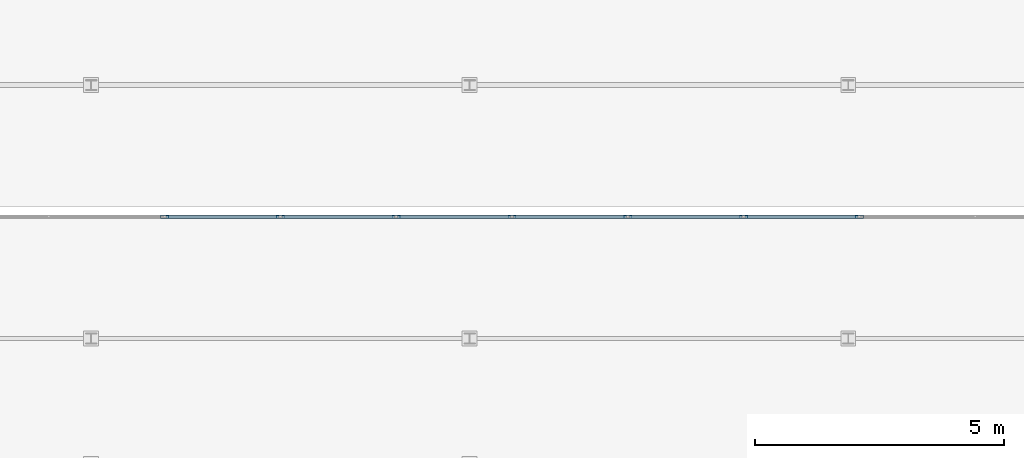
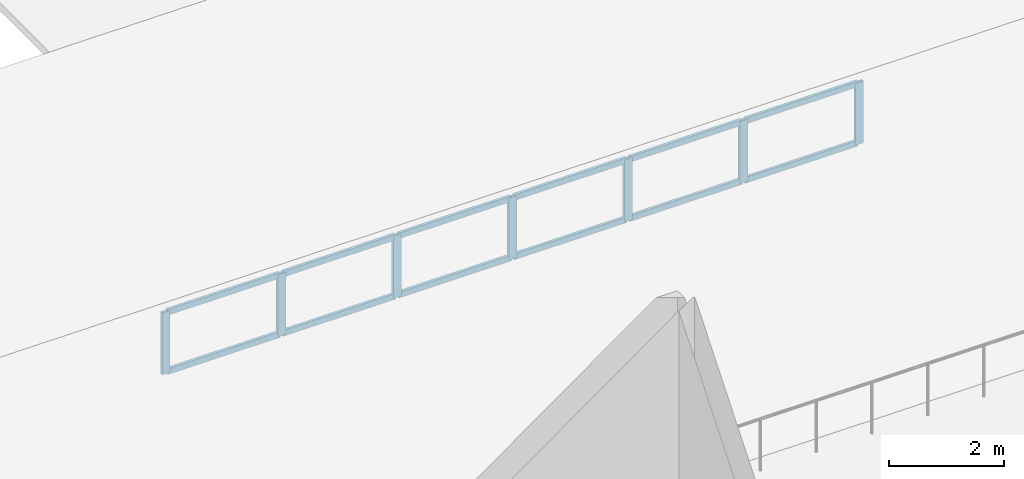
# One storey, part 23 of 114: 19 members, 1 element without a shape of its own.
"""IFC4 building model written with IfcOpenShell, lengths in metres."""

from ifc_helpers import new_model, si_unit, direction, frame, origin, origin_2d, place, context, subcontext, project, spatial, hollow_rectangle, extrude, material, layer, layer_set, material_profile, profile_set, type_object, element, aggregate, save


model = new_model("IFC4")

# Units and contexts
model_context = context("Model", 3, precision=1e-05, world=origin(), true_north=direction((0.0, 1.0)))
body_context = subcontext(model_context, "Body", "Model", "MODEL_VIEW")
ifc_project = project(units=[si_unit("LENGTHUNIT", "METRE"), si_unit("AREAUNIT", "SQUARE_METRE"), si_unit("VOLUMEUNIT", "CUBIC_METRE"), si_unit("PLANEANGLEUNIT", "RADIAN"), si_unit("MASSUNIT", "GRAM", prefix="KILO")], contexts=[model_context])

# Site, building, storey
site_placement = place(None, origin())
site = spatial("IfcSite", under=ifc_project, at=site_placement, CompositionType="ELEMENT")
building_placement = place(site_placement, origin())
building = spatial("IfcBuilding", under=site, at=building_placement, Name="Montecoro Central Library", CompositionType="ELEMENT")
storey_placement = place(building_placement, frame((0.0, 0.0, 13.260009765625)))
storey = spatial("IfcBuildingStorey", under=building, at=storey_placement, Name="L03", CompositionType="ELEMENT", Elevation=13.260009765625)

# Curtain wall, members
ifc_material_1 = material(Name="Bronze-anodised aluminium and low-E glazing", Category="aluminium")
ifc_layer = layer(ifc_material_1, 0.159912109375)
ifc_layer_set = layer_set([ifc_layer], Name="Bronze-anodised aluminium and low-E glazing")
curtain_wall_type = type_object("IfcCurtainWallType", Name="CWT-036", PredefinedType="NOTDEFINED", material=ifc_layer_set)
curtain_wall_placement = place(storey_placement, origin())
curtain_wall = element("IfcCurtainWall", 1, at=curtain_wall_placement, inside=storey, type_object=curtain_wall_type, Name="V3-ROOF-SAWCW-1", PredefinedType="NOTDEFINED")
ifc_material_2 = material(Name="Bronze-anodised aluminium", Category="aluminium")
ifc_material_profile_1 = material_profile(ifc_material_2, hollow_rectangle(XDim=0.06005859375, YDim=0.159912109375, WallThickness=0.00390625, at=origin_2d()), Name="CWM 160x60x4.0")
ifc_profile_set_1 = profile_set([ifc_material_profile_1], Name="Bronze-anodised aluminium")
member_type_1 = type_object("IfcMemberType", Name="CWM-BRZ-60", PredefinedType="MULLION", material=ifc_profile_set_1)
member_1_placement = place(storey_placement, frame((21.675048828125, 27.60009765625, 0.0), z_axis=(0.0, 0.0, 1.0), x_axis=(0.0, 1.0, 0.0)))
member_1 = element("IfcMember", 2, at=member_1_placement, type_object=member_type_1, Name="CW-036 mullion 8", PredefinedType="MULLION", context=body_context, shape_type="SweptSolid", body=[
    extrude(hollow_rectangle(XDim=0.06005859375, YDim=0.159912109375, WallThickness=0.00390625, at=origin_2d()), origin(), (0.0, 0.0, 1.0), 1.320068359375),
])
member_2_placement = place(storey_placement, frame((24.0, 27.60009765625, 0.0), z_axis=(0.0, 0.0, 1.0), x_axis=(0.0, 1.0, 0.0)))
member_2 = element("IfcMember", 3, at=member_2_placement, type_object=member_type_1, Name="CW-036 mullion 9", PredefinedType="MULLION", context=body_context, shape_type="SweptSolid", body=[
    extrude(hollow_rectangle(XDim=0.06005859375, YDim=0.159912109375, WallThickness=0.00390625, at=origin_2d()), origin(), (0.0, 0.0, 1.0), 1.320068359375),
])
member_3_placement = place(storey_placement, frame((26.324951171875, 27.60009765625, 0.0), z_axis=(0.0, 0.0, 1.0), x_axis=(0.0, 1.0, 0.0)))
member_3 = element("IfcMember", 4, at=member_3_placement, type_object=member_type_1, Name="CW-036 mullion 10", PredefinedType="MULLION", context=body_context, shape_type="SweptSolid", body=[
    extrude(hollow_rectangle(XDim=0.06005859375, YDim=0.159912109375, WallThickness=0.00390625, at=origin_2d()), origin(), (0.0, 0.0, 1.0), 1.320068359375),
])
member_4_placement = place(storey_placement, frame((28.64990234375, 27.60009765625, 0.0), z_axis=(0.0, 0.0, 1.0), x_axis=(0.0, 1.0, 0.0)))
member_4 = element("IfcMember", 5, at=member_4_placement, type_object=member_type_1, Name="CW-036 mullion 11", PredefinedType="MULLION", context=body_context, shape_type="SweptSolid", body=[
    extrude(hollow_rectangle(XDim=0.06005859375, YDim=0.159912109375, WallThickness=0.00390625, at=origin_2d()), origin(), (0.0, 0.0, 1.0), 1.320068359375),
])
member_5_placement = place(storey_placement, frame((30.97509765625, 27.60009765625, 0.0), z_axis=(0.0, 0.0, 1.0), x_axis=(0.0, 1.0, 0.0)))
member_5 = element("IfcMember", 6, at=member_5_placement, type_object=member_type_1, Name="CW-036 mullion 12", PredefinedType="MULLION", context=body_context, shape_type="SweptSolid", body=[
    extrude(hollow_rectangle(XDim=0.06005859375, YDim=0.159912109375, WallThickness=0.00390625, at=origin_2d()), origin(), (0.0, 0.0, 1.0), 1.320068359375),
])
member_6_placement = place(storey_placement, frame((33.300048828125, 27.60009765625, 0.0), z_axis=(0.0, 0.0, 1.0), x_axis=(0.0, 1.0, 0.0)))
member_6 = element("IfcMember", 7, at=member_6_placement, type_object=member_type_1, Name="CW-036 mullion 13", PredefinedType="MULLION", context=body_context, shape_type="SweptSolid", body=[
    extrude(hollow_rectangle(XDim=0.06005859375, YDim=0.159912109375, WallThickness=0.00390625, at=origin_2d()), origin(), (0.0, 0.0, 1.0), 1.320068359375),
])
member_7_placement = place(storey_placement, frame((35.625, 27.60009765625, 0.0), z_axis=(0.0, 0.0, 1.0), x_axis=(0.0, 1.0, 0.0)))
member_7 = element("IfcMember", 8, at=member_7_placement, type_object=member_type_1, Name="CW-036 mullion 14", PredefinedType="MULLION", context=body_context, shape_type="SweptSolid", body=[
    extrude(hollow_rectangle(XDim=0.06005859375, YDim=0.159912109375, WallThickness=0.00390625, at=origin_2d()), origin(), (0.0, 0.0, 1.0), 1.320068359375),
])
ifc_material_profile_2 = material_profile(ifc_material_2, hollow_rectangle(XDim=0.06005859375, YDim=0.1201171875, WallThickness=0.00390625, at=origin_2d()), Name="CWT 120x60x4.0")
ifc_profile_set_2 = profile_set([ifc_material_profile_2], Name="Bronze-anodised aluminium")
member_type_2 = type_object("IfcMemberType", Name="CWT-BRZ-60", PredefinedType="USERDEFINED", material=ifc_profile_set_2)
member_8_placement = place(storey_placement, frame((21.705078125, 27.60009765625, 0.030029296875), z_axis=(1.0, 0.0, 0.0), x_axis=(0.0, 1.0, 0.0)))
member_8 = element("IfcMember", 9, at=member_8_placement, type_object=member_type_2, Name="CW-036 transom 8.1", ObjectType="TRANSOM", PredefinedType="USERDEFINED", context=body_context, shape_type="SweptSolid", body=[
    extrude(hollow_rectangle(XDim=0.06005859375, YDim=0.1201171875, WallThickness=0.00390625, at=origin_2d()), origin(), (0.0, 0.0, 1.0), 2.264892578125),
])
member_9_placement = place(storey_placement, frame((21.705078125, 27.60009765625, 1.2900390625), z_axis=(1.0, 0.0, 0.0), x_axis=(0.0, 1.0, 0.0)))
member_9 = element("IfcMember", 10, at=member_9_placement, type_object=member_type_2, Name="CW-036 transom 8.2", ObjectType="TRANSOM", PredefinedType="USERDEFINED", context=body_context, shape_type="SweptSolid", body=[
    extrude(hollow_rectangle(XDim=0.06005859375, YDim=0.1201171875, WallThickness=0.00390625, at=origin_2d()), origin(), (0.0, 0.0, 1.0), 2.264892578125),
])
member_10_placement = place(storey_placement, frame((24.030029296875, 27.60009765625, 0.030029296875), z_axis=(1.0, 0.0, 0.0), x_axis=(0.0, 1.0, 0.0)))
member_10 = element("IfcMember", 11, at=member_10_placement, type_object=member_type_2, Name="CW-036 transom 9.1", ObjectType="TRANSOM", PredefinedType="USERDEFINED", context=body_context, shape_type="SweptSolid", body=[
    extrude(hollow_rectangle(XDim=0.06005859375, YDim=0.1201171875, WallThickness=0.00390625, at=origin_2d()), origin(), (0.0, 0.0, 1.0), 2.264892578125),
])
member_11_placement = place(storey_placement, frame((24.030029296875, 27.60009765625, 1.2900390625), z_axis=(1.0, 0.0, 0.0), x_axis=(0.0, 1.0, 0.0)))
member_11 = element("IfcMember", 12, at=member_11_placement, type_object=member_type_2, Name="CW-036 transom 9.2", ObjectType="TRANSOM", PredefinedType="USERDEFINED", context=body_context, shape_type="SweptSolid", body=[
    extrude(hollow_rectangle(XDim=0.06005859375, YDim=0.1201171875, WallThickness=0.00390625, at=origin_2d()), origin(), (0.0, 0.0, 1.0), 2.264892578125),
])
member_12_placement = place(storey_placement, frame((26.35498046875, 27.60009765625, 0.030029296875), z_axis=(1.0, 0.0, 0.0), x_axis=(0.0, 1.0, 0.0)))
member_12 = element("IfcMember", 13, at=member_12_placement, type_object=member_type_2, Name="CW-036 transom 10.1", ObjectType="TRANSOM", PredefinedType="USERDEFINED", context=body_context, shape_type="SweptSolid", body=[
    extrude(hollow_rectangle(XDim=0.06005859375, YDim=0.1201171875, WallThickness=0.00390625, at=origin_2d()), origin(), (0.0, 0.0, 1.0), 2.26513671875),
])
member_13_placement = place(storey_placement, frame((26.35498046875, 27.60009765625, 1.2900390625), z_axis=(1.0, 0.0, 0.0), x_axis=(0.0, 1.0, 0.0)))
member_13 = element("IfcMember", 14, at=member_13_placement, type_object=member_type_2, Name="CW-036 transom 10.2", ObjectType="TRANSOM", PredefinedType="USERDEFINED", context=body_context, shape_type="SweptSolid", body=[
    extrude(hollow_rectangle(XDim=0.06005859375, YDim=0.1201171875, WallThickness=0.00390625, at=origin_2d()), origin(), (0.0, 0.0, 1.0), 2.26513671875),
])
member_14_placement = place(storey_placement, frame((28.679931640625, 27.60009765625, 0.030029296875), z_axis=(1.0, 0.0, 0.0), x_axis=(0.0, 1.0, 0.0)))
member_14 = element("IfcMember", 15, at=member_14_placement, type_object=member_type_2, Name="CW-036 transom 11.1", ObjectType="TRANSOM", PredefinedType="USERDEFINED", context=body_context, shape_type="SweptSolid", body=[
    extrude(hollow_rectangle(XDim=0.06005859375, YDim=0.1201171875, WallThickness=0.00390625, at=origin_2d()), origin(), (0.0, 0.0, 1.0), 2.26513671875),
])
member_15_placement = place(storey_placement, frame((28.679931640625, 27.60009765625, 1.2900390625), z_axis=(1.0, 0.0, 0.0), x_axis=(0.0, 1.0, 0.0)))
member_15 = element("IfcMember", 16, at=member_15_placement, type_object=member_type_2, Name="CW-036 transom 11.2", ObjectType="TRANSOM", PredefinedType="USERDEFINED", context=body_context, shape_type="SweptSolid", body=[
    extrude(hollow_rectangle(XDim=0.06005859375, YDim=0.1201171875, WallThickness=0.00390625, at=origin_2d()), origin(), (0.0, 0.0, 1.0), 2.26513671875),
])
member_16_placement = place(storey_placement, frame((31.0048828125, 27.60009765625, 0.030029296875), z_axis=(1.0, 0.0, 0.0), x_axis=(0.0, 1.0, 0.0)))
member_16 = element("IfcMember", 17, at=member_16_placement, type_object=member_type_2, Name="CW-036 transom 12.1", ObjectType="TRANSOM", PredefinedType="USERDEFINED", context=body_context, shape_type="SweptSolid", body=[
    extrude(hollow_rectangle(XDim=0.06005859375, YDim=0.1201171875, WallThickness=0.00390625, at=origin_2d()), origin(), (0.0, 0.0, 1.0), 2.26513671875),
])
member_17_placement = place(storey_placement, frame((31.0048828125, 27.60009765625, 1.2900390625), z_axis=(1.0, 0.0, 0.0), x_axis=(0.0, 1.0, 0.0)))
member_17 = element("IfcMember", 18, at=member_17_placement, type_object=member_type_2, Name="CW-036 transom 12.2", ObjectType="TRANSOM", PredefinedType="USERDEFINED", context=body_context, shape_type="SweptSolid", body=[
    extrude(hollow_rectangle(XDim=0.06005859375, YDim=0.1201171875, WallThickness=0.00390625, at=origin_2d()), origin(), (0.0, 0.0, 1.0), 2.26513671875),
])
member_18_placement = place(storey_placement, frame((33.330078125, 27.60009765625, 0.030029296875), z_axis=(1.0, 0.0, 0.0), x_axis=(0.0, 1.0, 0.0)))
member_18 = element("IfcMember", 19, at=member_18_placement, type_object=member_type_2, Name="CW-036 transom 13.1", ObjectType="TRANSOM", PredefinedType="USERDEFINED", context=body_context, shape_type="SweptSolid", body=[
    extrude(hollow_rectangle(XDim=0.06005859375, YDim=0.1201171875, WallThickness=0.00390625, at=origin_2d()), origin(), (0.0, 0.0, 1.0), 2.264892578125),
])
member_19_placement = place(storey_placement, frame((33.330078125, 27.60009765625, 1.2900390625), z_axis=(1.0, 0.0, 0.0), x_axis=(0.0, 1.0, 0.0)))
member_19 = element("IfcMember", 20, at=member_19_placement, type_object=member_type_2, Name="CW-036 transom 13.2", ObjectType="TRANSOM", PredefinedType="USERDEFINED", context=body_context, shape_type="SweptSolid", body=[
    extrude(hollow_rectangle(XDim=0.06005859375, YDim=0.1201171875, WallThickness=0.00390625, at=origin_2d()), origin(), (0.0, 0.0, 1.0), 2.264892578125),
])
aggregate(curtain_wall, [member_1, member_2, member_3, member_4, member_5, member_6, member_7, member_8, member_9, member_10, member_11, member_12, member_13, member_14, member_15, member_16, member_17, member_18, member_19])

save(model, "model.ifc")
